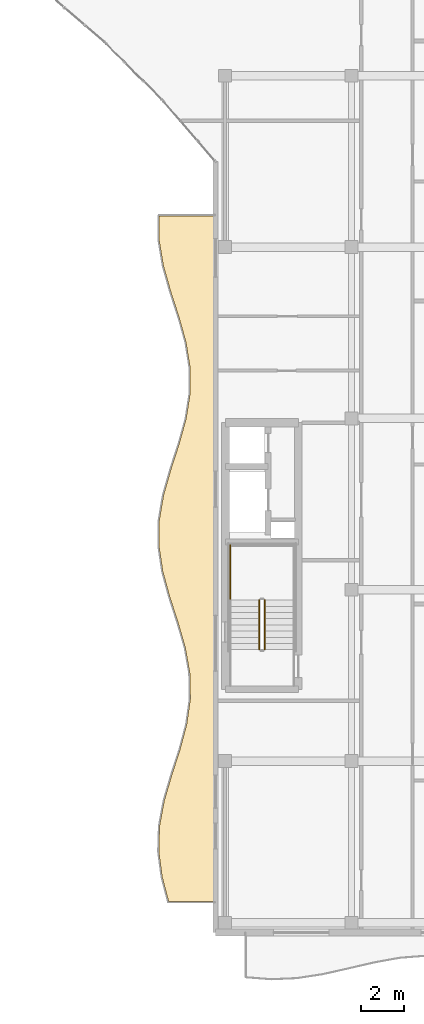
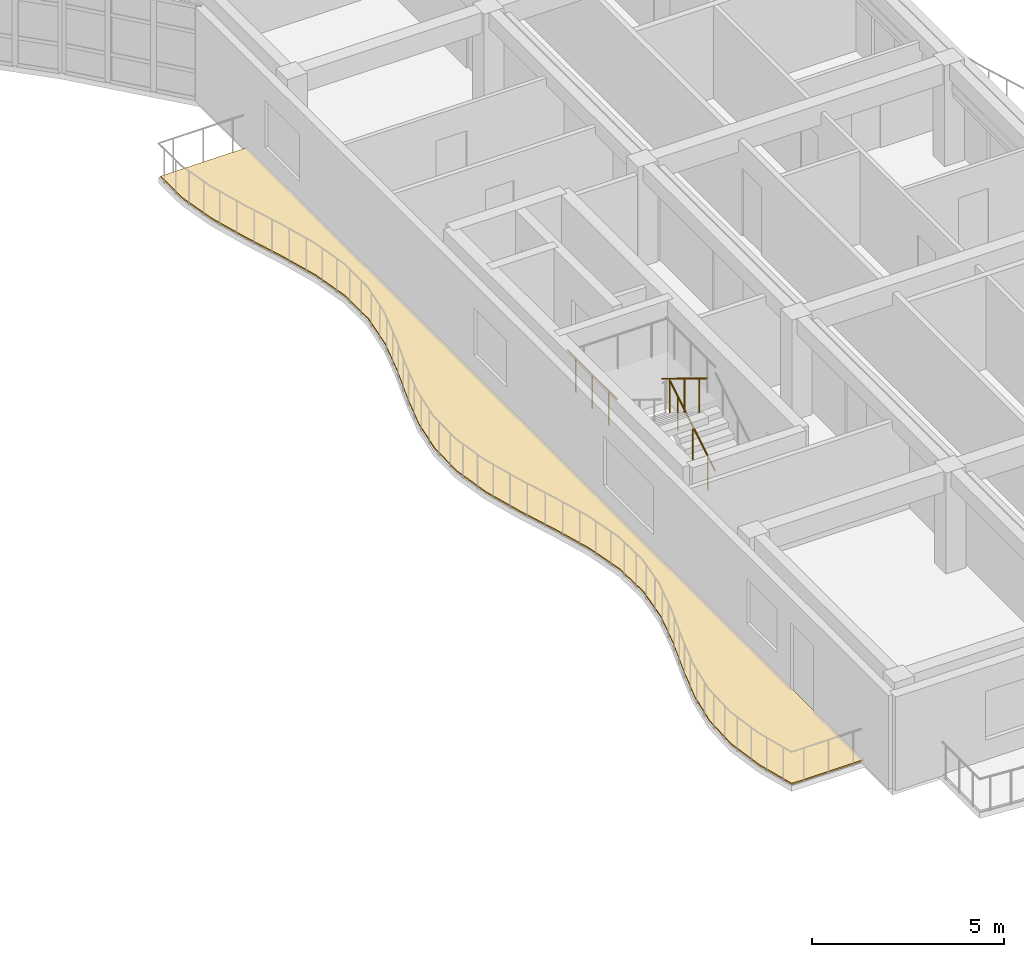
# One storey, part 59 of 72: 3 railings, 1 covering.
"""IFC4 building model written with IfcOpenShell, lengths in metres."""

from ifc_helpers import new_model, si_unit, direction, frame, origin, origin_2d, place, context, subcontext, project, spatial, polyline, circle, outline, extrude, material, layer, layer_set, type_object, element, save


model = new_model("IFC4")

# Units and contexts
model_context = context("Model", 3, precision=1e-05, world=origin(), true_north=direction((0.0, 1.0)))
body_context = subcontext(model_context, "Body", "Model", "MODEL_VIEW")
ifc_project = project(units=[si_unit("LENGTHUNIT", "METRE"), si_unit("AREAUNIT", "SQUARE_METRE"), si_unit("VOLUMEUNIT", "CUBIC_METRE"), si_unit("PLANEANGLEUNIT", "RADIAN"), si_unit("MASSUNIT", "GRAM", prefix="KILO")], contexts=[model_context])

# Site, building, storey
site_placement = place(None, origin())
site = spatial("IfcSite", under=ifc_project, at=site_placement, CompositionType="ELEMENT")
building_placement = place(site_placement, origin())
building = spatial("IfcBuilding", under=site, at=building_placement, Name="Keldmere Railside Commons", CompositionType="ELEMENT")
storey_placement = place(building_placement, frame((0.0, 0.0, 16.9599609375)))
storey = spatial("IfcBuildingStorey", under=building, at=storey_placement, Name="L05", CompositionType="ELEMENT", Elevation=16.9599609375)

# Railings
ifc_material_1 = material(Name="Steel F-24 (S235)", Category="steel")
railing_type = type_object("IfcRailingType", Name="Stair Well Steel Guardrail 1100", PredefinedType="BALUSTRADE", material=ifc_material_1)
railing_1_placement = place(storey_placement, frame((106.300048828125, 69.199951171875, 0.177734375)))
element("IfcRailing", 1, at=railing_1_placement, inside=storey, type_object=railing_type, Name="L05 ST-B1 stair guard 1", PredefinedType="BALUSTRADE", context=body_context, shape_type="SweptSolid", body=[
    extrude(circle(Radius=0.02392578125, at=origin_2d()), frame((0.0, 0.0, 1.076171875), z_axis=(0.0, 0.852538067394, 0.522665135287), x_axis=(-1.0, 0.0, 0.0)), (0.0, 0.0, 1.0), 2.721435546875),
    extrude(circle(Radius=0.02099609375, at=origin_2d()), frame((0.0, 0.38671875, 0.237060546875)), (0.0, 0.0, 1.0), 1.048095703125),
    extrude(circle(Radius=0.02099609375, at=origin_2d()), frame((0.0, 1.16015625, 0.711181640625)), (0.0, 0.0, 1.0), 1.048095703125),
    extrude(circle(Radius=0.02099609375, at=origin_2d()), frame((0.0, 1.933349609375, 1.185302734375)), (0.0, 0.0, 1.0), 1.048095703125),
])
railing_2_placement = place(storey_placement, frame((104.699951171875, 71.52001953125, 1.60009765625)))
element("IfcRailing", 2, at=railing_2_placement, inside=storey, type_object=railing_type, Name="L05 ST-B1 stair guard 4", PredefinedType="BALUSTRADE", context=body_context, shape_type="SweptSolid", body=[
    extrude(circle(Radius=0.02392578125, at=origin_2d()), frame((0.0, 0.0, 1.076171875), z_axis=(0.0, 1.0, 0.0), x_axis=(-1.0, 0.0, 0.0)), (0.0, 0.0, 1.0), 2.580078125),
    extrude(circle(Radius=0.02099609375, at=origin_2d()), frame((0.0, 0.429931640625, 0.0)), (0.0, 0.0, 1.0), 1.048095703125),
    extrude(circle(Radius=0.02099609375, at=origin_2d()), frame((0.0, 1.2900390625, 0.0)), (0.0, 0.0, 1.0), 1.048095703125),
    extrude(circle(Radius=0.02099609375, at=origin_2d()), frame((0.0, 2.150146484375, 0.0)), (0.0, 0.0, 1.0), 1.048095703125),
])
railing_3_placement = place(storey_placement, frame((106.050048828125, 71.52001953125, 1.77783203125)))
element("IfcRailing", 3, at=railing_3_placement, inside=storey, type_object=railing_type, Name="L05 ST-B1 stair guard 6", PredefinedType="BALUSTRADE", context=body_context, shape_type="SweptSolid", body=[
    extrude(circle(Radius=0.02392578125, at=origin_2d()), frame((0.0, 0.0, 1.076171875), z_axis=(0.0, -0.852578041948, 0.522599925744), x_axis=(1.0, 0.0, 0.0)), (0.0, 0.0, 1.0), 2.72119140625),
    extrude(circle(Radius=0.02099609375, at=origin_2d()), frame((0.0, -0.38671875, 0.237060546875)), (0.0, 0.0, 1.0), 1.048095703125),
    extrude(circle(Radius=0.02099609375, at=origin_2d()), frame((0.0, -1.16015625, 0.7109375)), (0.0, 0.0, 1.0), 1.048095703125),
    extrude(circle(Radius=0.02099609375, at=origin_2d()), frame((0.0, -1.933349609375, 1.18505859375)), (0.0, 0.0, 1.0), 1.048095703125),
])

# Covering
ifc_material_2 = material(Name="White Precast Concrete C35/45", Category="concrete")
ifc_layer = layer(ifc_material_2, 0.044921875, Name="White Architectural Balcony Ribbon Cladding 45")
ifc_layer_set = layer_set([ifc_layer], Name="White Precast Concrete C35/45")
covering_type = type_object("IfcCoveringType", Name="White Architectural Balcony Ribbon Cladding 45", PredefinedType="FLOORING", material=ifc_layer_set)
covering_placement = place(storey_placement, origin())
element("IfcCovering", 4, at=covering_placement, inside=storey, type_object=covering_type, Name="CLG-WB B L05 CW White Balcony Ribbon", PredefinedType="FLOORING", context=body_context, shape_type="SweptSolid", body=[
    extrude(outline(polyline([(103.9599609375, 89.4599609375), (101.361083984375, 89.4599609375), (101.369873046875, 88.314697265625), (101.5673828125, 87.131103515625), (101.90234375, 85.94482421875), (102.286865234375, 84.756591796875), (102.287353515625, 84.755126953125), (102.61962890625, 83.56640625), (102.62060546875, 83.56201171875), (102.813232421875, 82.373046875), (102.813720703125, 82.369873046875), (102.813720703125, 82.36669921875), (102.81591796875, 81.177978515625), (102.81591796875, 81.1748046875), (102.8154296875, 81.17138671875), (102.626708984375, 79.982666015625), (102.62548828125, 79.978271484375), (102.29541015625, 78.789306640625), (102.294921875, 78.78759765625), (101.91064453125, 77.599609375), (101.573486328125, 76.413330078125), (101.372314453125, 75.229736328125), (101.35888671875, 74.047119140625), (101.537109375, 72.864013671875), (101.860595703125, 71.677978515625), (102.244384765625, 70.489990234375), (102.244873046875, 70.489013671875), (102.587890625, 69.300048828125), (102.5888671875, 69.2958984375), (102.800537109375, 68.10693359375), (102.801025390625, 68.10400390625), (102.80126953125, 68.100830078125), (102.82568359375, 66.911865234375), (102.82568359375, 66.90869140625), (102.8251953125, 66.905517578125), (102.65625, 65.716552734375), (102.6552734375, 65.7119140625), (102.337158203125, 64.52294921875), (102.336669921875, 64.52099609375), (101.953125, 63.33251953125), (101.60595703125, 62.146240234375), (101.385986328125, 60.96240234375), (101.3505859375, 59.77978515625), (101.508544921875, 58.5966796875), (101.81201171875, 57.43994140625), (103.9599609375, 57.43994140625), (103.9599609375, 89.4599609375)])), origin(), (0.0, 0.0, 1.0), 0.044921875),
])

save(model, "model.ifc")
